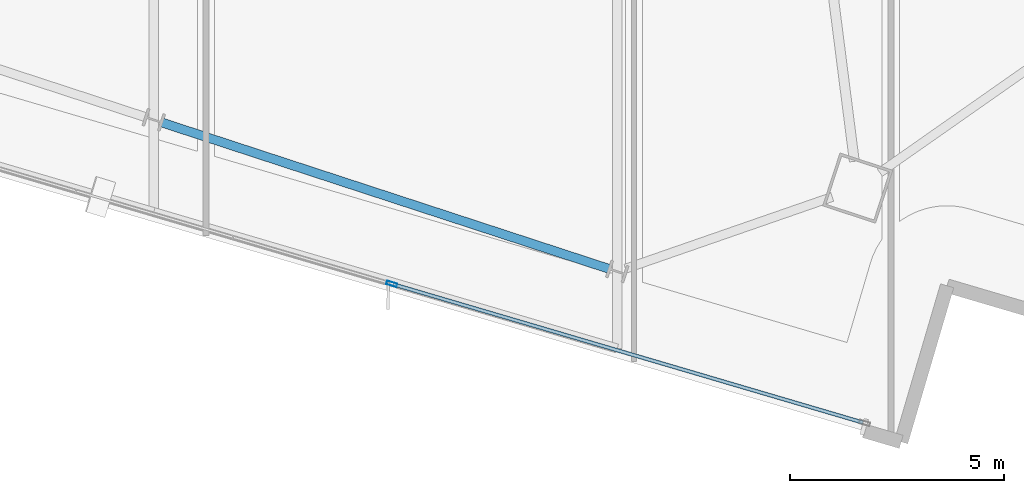
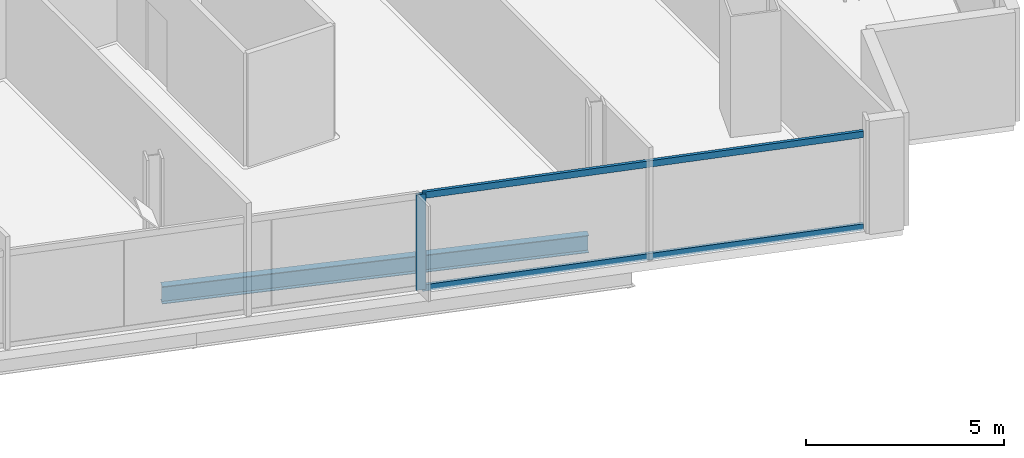
# One storey, part 4 of 26: 3 members, 1 beam, 1 element without a shape of its own.
"""IFC4 building model written with IfcOpenShell, lengths in metres."""

from ifc_helpers import new_model, si_unit, direction, frame, origin, origin_2d, place, context, subcontext, project, spatial, hollow_rectangle, i_section, extrude, material, material_profile, profile_set, type_object, element, aggregate, save


model = new_model("IFC4")

# Units and contexts
model_context = context("Model", 3, precision=1e-05, world=origin(), true_north=direction((0.0, 1.0)))
body_context = subcontext(model_context, "Body", "Model", "MODEL_VIEW")
ifc_project = project(units=[si_unit("LENGTHUNIT", "METRE"), si_unit("AREAUNIT", "SQUARE_METRE"), si_unit("VOLUMEUNIT", "CUBIC_METRE"), si_unit("PLANEANGLEUNIT", "RADIAN"), si_unit("MASSUNIT", "GRAM", prefix="KILO")], contexts=[model_context])

# Site, building, storey
site_placement = place(None, origin())
site = spatial("IfcSite", under=ifc_project, at=site_placement, CompositionType="ELEMENT")
building_placement = place(site_placement, origin())
building = spatial("IfcBuilding", under=site, at=building_placement, Name="Haldenkirk Collegiate Tower", CompositionType="ELEMENT")
storey_placement = place(building_placement, frame((0.0, 0.0, 274.949951171875)))
storey = spatial("IfcBuildingStorey", under=building, at=storey_placement, Name="L69", CompositionType="ELEMENT", Elevation=274.949951171875)

# Beam
ifc_material_1 = material(Name="Steel ASTM A992 Grade 50", Category="steel")
ifc_material_profile_1 = material_profile(ifc_material_1, i_section(OverallWidth=0.2099609375, OverallDepth=0.537109375, WebThickness=0.010986328125, FlangeThickness=0.017333984375, at=origin_2d()), Name="W21X68")
ifc_profile_set_1 = profile_set([ifc_material_profile_1], Name="Steel ASTM A992 Grade 50")
beam_type = type_object("IfcBeamType", Name="BM-SPANDREL-W21X68", PredefinedType="SPANDREL", material=ifc_profile_set_1)
beam_placement = place(storey_placement, frame((30.4755859375, 5.97509765625, -0.538330078125), z_axis=(0.95040429397, -0.311017166733, 0.0), x_axis=(0.311017166733, 0.95040429397, 0.0)))
element("IfcBeam", 1, at=beam_placement, inside=storey, type_object=beam_type, Name="L69 perimeter spandrel beam 15", PredefinedType="SPANDREL", context=body_context, shape_type="SweptSolid", body=[
    extrude(i_section(OverallWidth=0.2099609375, OverallDepth=0.537109375, WebThickness=0.010986328125, FlangeThickness=0.017333984375, at=origin_2d()), origin(), (0.0, 0.0, 1.0), 10.988037109375),
])

# Curtain wall, members
ifc_material_2 = material(Name="Anodised architectural bronze aluminium", Category="aluminium")
curtain_wall_type = type_object("IfcCurtainWallType", Name="CW-SYS1B-CONVEX-HI", PredefinedType="USERDEFINED", material=ifc_material_2)
curtain_wall_placement = place(storey_placement, origin())
curtain_wall = element("IfcCurtainWall", 2, at=curtain_wall_placement, inside=storey, type_object=curtain_wall_type, Name="L69 Upper tower high-wind convex bronze unitised curtain wall", ObjectType="UNITISED CURTAIN WALL", PredefinedType="USERDEFINED")
ifc_material_profile_2 = material_profile(ifc_material_2, hollow_rectangle(XDim=0.0849609375, YDim=0.25, WallThickness=0.0048828125, at=origin_2d()), Name="CW-MUL-1B")
ifc_profile_set_2 = profile_set([ifc_material_profile_2], Name="Anodised architectural bronze aluminium")
member_type_1 = type_object("IfcMemberType", Name="CW-MUL-1B", PredefinedType="MULLION", material=ifc_profile_set_2)
member_1_placement = place(storey_placement, frame((35.84228515625, 2.20654296875, 0.0), z_axis=(0.0, 0.0, 1.0), x_axis=(-0.282341816085, -0.959313868809, 0.0)))
member_1 = element("IfcMember", 3, at=member_1_placement, type_object=member_type_1, Name="CW-1B mullion 2", PredefinedType="MULLION", context=body_context, shape_type="SweptSolid", body=[
    extrude(hollow_rectangle(XDim=0.0849609375, YDim=0.25, WallThickness=0.0048828125, at=origin_2d()), origin(), (0.0, 0.0, 1.0), 2.93798828125),
])
ifc_material_profile_3 = material_profile(ifc_material_2, hollow_rectangle(XDim=0.0849609375, YDim=0.199951171875, WallThickness=0.0048828125, at=origin_2d()), Name="CW-TRN-1B")
ifc_profile_set_3 = profile_set([ifc_material_profile_3], Name="Anodised architectural bronze aluminium")
member_type_2 = type_object("IfcMemberType", Name="CW-TRN-1B", PredefinedType="USERDEFINED", material=ifc_profile_set_3)
member_2_placement = place(storey_placement, frame((46.848876953125, -1.032958984375, 0.04248046875), z_axis=(-0.959311068721, 0.282351329782, 0.0), x_axis=(-0.282351329782, -0.959311068721, 0.0)))
member_2 = element("IfcMember", 4, at=member_2_placement, type_object=member_type_2, Name="CW-1B transom 1.1", ObjectType="TRANSOM", PredefinedType="USERDEFINED", context=body_context, shape_type="SweptSolid", body=[
    extrude(hollow_rectangle(XDim=0.0849609375, YDim=0.199951171875, WallThickness=0.0048828125, at=origin_2d()), origin(), (0.0, 0.0, 1.0), 11.430908203125),
])
member_3_placement = place(storey_placement, frame((46.848876953125, -1.032958984375, 2.8955078125), z_axis=(-0.959311068721, 0.282351329782, 0.0), x_axis=(-0.282351329782, -0.959311068721, 0.0)))
member_3 = element("IfcMember", 5, at=member_3_placement, type_object=member_type_2, Name="CW-1B transom 1.2", ObjectType="TRANSOM", PredefinedType="USERDEFINED", context=body_context, shape_type="SweptSolid", body=[
    extrude(hollow_rectangle(XDim=0.0849609375, YDim=0.199951171875, WallThickness=0.0048828125, at=origin_2d()), origin(), (0.0, 0.0, 1.0), 11.430908203125),
])
aggregate(curtain_wall, [member_1, member_2, member_3])

save(model, "model.ifc")
